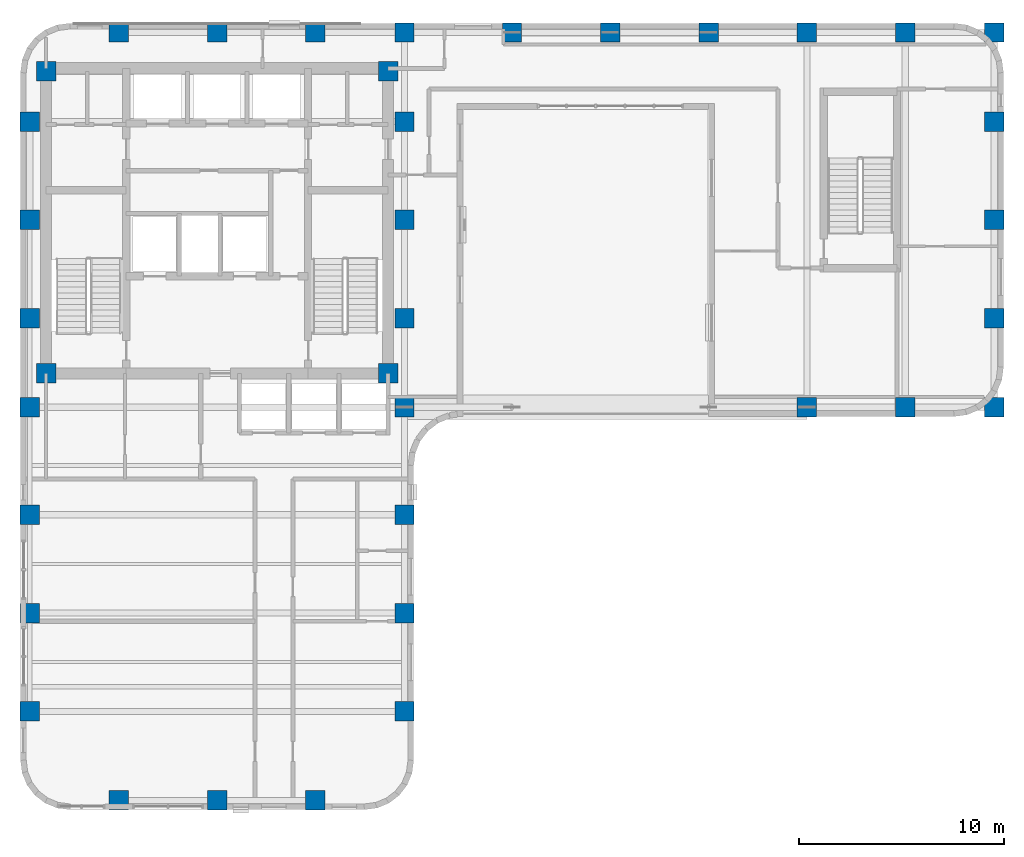
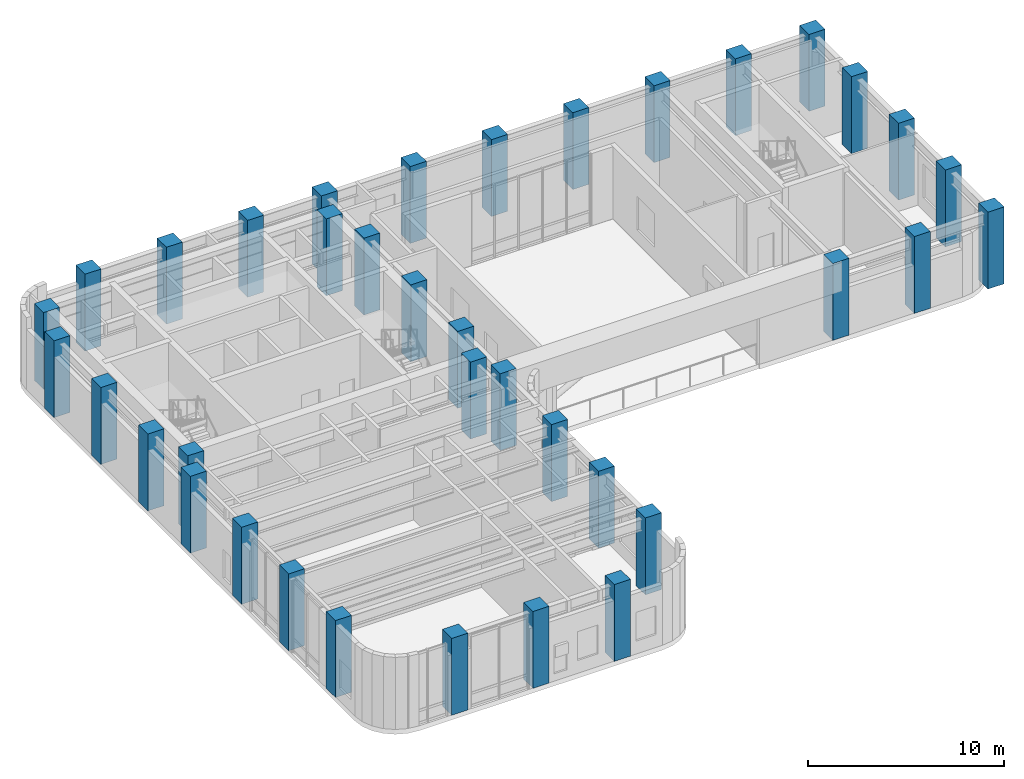
# One storey, part 1 of 12: 37 columns.
"""IFC4 building model written with IfcOpenShell, lengths in metres."""

import ifcopenshell
import ifcopenshell.guid

model = None  # the IFC model being written
_history = None  # IfcOwnerHistory: only IFC2X3 demands one
_inside = {}  # id of a spatial element -> (the spatial element, [elements in it])
_under = {}  # id of a project, library or spatial element -> (it, [spatial elements below it])
_declared = {}  # id of a project -> (the project, [libraries it declares])
_typed = {}  # id of a type object -> (the type object, [elements of that type])
_made_of = {}  # id of a material, layer set ... -> (it, [elements and type objects made of it])


def new_model(schema):
    """Start an empty IFC model of exactly this schema.

    Asked for "IFC4X3", IfcOpenShell would pick the latest addendum, in which some entities
    have other attributes; the version numbers below select the first issue.
    IFC2X3 requires an IfcOwnerHistory on every rooted entity: one is made here for all.
    """
    global model, _history
    if schema == "IFC4X3":
        model = ifcopenshell.file(schema_version=(4, 3, 0, 0))
    else:
        model = ifcopenshell.file(schema=schema)
    _inside.clear()
    _under.clear()
    _declared.clear()
    _typed.clear()
    _made_of.clear()
    _history = None
    if model.schema == "IFC2X3":
        org = make("IfcOrganization", Name="unknown")
        user = make(
            "IfcPersonAndOrganization",
            ThePerson=make("IfcPerson", FamilyName="unknown"),
            TheOrganization=org,
        )
        app = make(
            "IfcApplication",
            ApplicationDeveloper=org,
            Version="unknown",
            ApplicationFullName="unknown",
            ApplicationIdentifier="unknown",
        )
        _history = make(
            "IfcOwnerHistory",
            OwningUser=user,
            OwningApplication=app,
            ChangeAction="ADDED",
            CreationDate=0,
        )
    return model


def make(cls, **values):
    """One entity of the class cls with the attributes given. An attribute that is None is left unset."""
    return model.create_entity(
        cls, **{name: value for name, value in values.items() if value is not None}
    )


def rooted(cls, **values):
    """An entity with a GlobalId (a new one), such as an element, a storey or a relation."""
    return make(cls, GlobalId=ifcopenshell.guid.new(), OwnerHistory=_history, **values)


def si_unit(unit_type, name, prefix=None):
    """IfcSIUnit, for example si_unit("LENGTHUNIT", "METRE", prefix="MILLI")."""
    return make("IfcSIUnit", UnitType=unit_type, Prefix=prefix, Name=name)


def assignment(units):
    """IfcUnitAssignment: the units of a project."""
    return None if units is None else make("IfcUnitAssignment", Units=units)


def point(xyz):
    """IfcCartesianPoint."""
    return None if xyz is None else make("IfcCartesianPoint", Coordinates=xyz)


def direction(xyz):
    """IfcDirection."""
    return None if xyz is None else make("IfcDirection", DirectionRatios=xyz)


def frame(location, z_axis=None, x_axis=None):
    """IfcAxis2Placement3D, a coordinate frame: its origin and axes. An axis left out is left unset."""
    return make(
        "IfcAxis2Placement3D",
        Location=point(location),
        Axis=direction(z_axis),
        RefDirection=direction(x_axis),
    )


def frame_2d(location, x_axis=None):
    """IfcAxis2Placement2D, a coordinate frame in the plane: its origin and x axis."""
    return make(
        "IfcAxis2Placement2D", Location=point(location), RefDirection=direction(x_axis)
    )


def origin():
    """The frame at (0, 0, 0) with its axes left unset."""
    return frame((0.0, 0.0, 0.0))


def origin_2d():
    """The frame at (0, 0) in the plane with its x axis left unset."""
    return frame_2d((0.0, 0.0))


def place(relative_to, where):
    """IfcLocalPlacement: puts the frame where relative to a parent placement (None: the world)."""
    return make(
        "IfcLocalPlacement", PlacementRelTo=relative_to, RelativePlacement=where
    )


def context(
    kind, dimensions, precision=None, world=None, true_north=None, identifier=None
):
    """IfcGeometricRepresentationContext, for example the 3D "Model" context."""
    return make(
        "IfcGeometricRepresentationContext",
        ContextIdentifier=identifier,
        ContextType=kind,
        CoordinateSpaceDimension=dimensions,
        Precision=precision,
        WorldCoordinateSystem=world,
        TrueNorth=true_north,
    )


def subcontext(parent, identifier, kind, view, scale=None):
    """IfcGeometricRepresentationSubContext, for example "Body" below "Model"."""
    return make(
        "IfcGeometricRepresentationSubContext",
        ContextIdentifier=identifier,
        ContextType=kind,
        ParentContext=parent,
        TargetScale=scale,
        TargetView=view,
    )


def project(units=None, contexts=None):
    """IfcProject with its units and contexts."""
    return rooted(
        "IfcProject",
        Name="project",
        RepresentationContexts=contexts,
        UnitsInContext=assignment(units),
    )


def spatial(cls, under=None, at=None, **own):
    """A site, building, storey or space (cls), placed at a placement, below another one or the project."""
    s = rooted(cls, ObjectPlacement=at, **own)
    if under is not None:
        _under.setdefault(under.id(), (under, []))[1].append(s)
    return s


def profile(cls, at=None, kind="AREA", **sizes):
    """A parametric profile (cls). Its sizes go by their IFC names, for example OverallWidth=200.0."""
    return make(cls, ProfileType=kind, Position=at, **sizes)


def rectangle(**sizes):
    """IfcRectangleProfileDef."""
    return profile("IfcRectangleProfileDef", **sizes)


def extrude(swept, where, along, depth):
    """IfcExtrudedAreaSolid: the profile swept, set in the frame where, extruded along a direction by depth."""
    return make(
        "IfcExtrudedAreaSolid",
        SweptArea=swept,
        Position=where,
        ExtrudedDirection=direction(along),
        Depth=depth,
    )


def shape(context_of_items, identifier, shape_type, items):
    """IfcShapeRepresentation: the items that make up one representation, for example the "Body"."""
    return make(
        "IfcShapeRepresentation",
        ContextOfItems=context_of_items,
        RepresentationIdentifier=identifier,
        RepresentationType=shape_type,
        Items=items,
    )


def material(Name=None, Category=None):
    """IfcMaterial."""
    return make("IfcMaterial", Name=Name, Category=Category)


def material_profile(
    of_material, cross_section, Name=None, Category=None, Priority=None
):
    """IfcMaterialProfile: a cross section and its material."""
    return make(
        "IfcMaterialProfile",
        Name=Name,
        Material=of_material,
        Profile=cross_section,
        Priority=Priority,
        Category=Category,
    )


def profile_set(profiles, Name=None, composite=None):
    """IfcMaterialProfileSet."""
    return make(
        "IfcMaterialProfileSet",
        Name=Name,
        MaterialProfiles=profiles,
        CompositeProfile=composite,
    )


def made_of(thing, what):
    """Note that an element or type object is made of a material, layer set ...; save() writes the relation."""
    if what is not None:
        _made_of.setdefault(what.id(), (what, []))[1].append(thing)
    return thing


def type_object(cls, material=None, **own):
    """A type object (cls), such as IfcWallType, which elements share."""
    return made_of(rooted(cls, **own), material)


def element(
    cls,
    number,
    at=None,
    inside=None,
    cuts=None,
    type_object=None,
    material=None,
    context=None,
    identifier="Body",
    shape_type=None,
    held_by="IfcProductDefinitionShape",
    body=None,
    shapes=None,
    **own,
):
    """One element of the class cls, such as IfcWall. Its Tag is "e" and its number.

    at: its placement. inside: the storey or other place that contains it. cuts: it is an
    opening in that element (IfcRelVoidsElement). A single representation is given by context,
    identifier, shape_type and body (its items); several are given by shapes. held_by: the class
    of the entity that holds the representations. save() writes the other relations.
    """
    e = rooted(cls, Tag="e%d" % number, ObjectPlacement=at, **own)
    if body is not None:
        shapes = [shape(context, identifier, shape_type, body)]
    if shapes is not None:
        e.Representation = make(held_by, Representations=shapes)
    if inside is not None:
        _inside.setdefault(inside.id(), (inside, []))[1].append(e)
    if cuts is not None:
        rooted(
            "IfcRelVoidsElement", RelatingBuildingElement=cuts, RelatedOpeningElement=e
        )
    if type_object is not None:
        _typed.setdefault(type_object.id(), (type_object, []))[1].append(e)
    return made_of(e, material)


def aggregate(whole, parts):
    """IfcRelAggregates: a whole, such as a stair, and the parts it consists of."""
    return rooted("IfcRelAggregates", RelatingObject=whole, RelatedObjects=parts)


def save(model, path):
    """Write the relations noted so far, then the file.

    IfcRelAggregates (storeys below a building ...), IfcRelContainedInSpatialStructure (elements
    in a storey), IfcRelDefinesByType, IfcRelAssociatesMaterial and IfcRelDeclares: one each for
    every whole, place, type object, material and project.
    """
    for whole, parts in _under.values():
        aggregate(whole, parts)
    for where, things in _inside.values():
        rooted(
            "IfcRelContainedInSpatialStructure",
            RelatedElements=things,
            RelatingStructure=where,
        )
    for kind, things in _typed.values():
        rooted("IfcRelDefinesByType", RelatedObjects=things, RelatingType=kind)
    for what, things in _made_of.values():
        rooted("IfcRelAssociatesMaterial", RelatedObjects=things, RelatingMaterial=what)
    for by, libraries in _declared.values():
        rooted("IfcRelDeclares", RelatingContext=by, RelatedDefinitions=libraries)
    model.write(path)


model = new_model("IFC4")

# Units and contexts
model_context = context("Model", 3, precision=1e-05, world=origin(), true_north=direction((0.0, 1.0)))
body_context = subcontext(model_context, "Body", "Model", "MODEL_VIEW")
ifc_project = project(units=[si_unit("LENGTHUNIT", "METRE"), si_unit("AREAUNIT", "SQUARE_METRE"), si_unit("VOLUMEUNIT", "CUBIC_METRE"), si_unit("PLANEANGLEUNIT", "RADIAN"), si_unit("MASSUNIT", "GRAM", prefix="KILO")], contexts=[model_context])

# Site, building, storey
site_placement = place(None, origin())
site = spatial("IfcSite", under=ifc_project, at=site_placement, CompositionType="ELEMENT")
building_placement = place(site_placement, origin())
building = spatial("IfcBuilding", under=site, at=building_placement, Name="Orvandelia Arch Residences", CompositionType="ELEMENT")
storey_placement = place(building_placement, frame((0.0, 0.0, 193.60009765625)))
storey = spatial("IfcBuildingStorey", under=building, at=storey_placement, Name="L51", CompositionType="ELEMENT", Elevation=193.60009765625)

# Columns
ifc_material = material(Name="Concrete C60/75", Category="concrete")
ifc_material_profile = material_profile(ifc_material, rectangle(XDim=0.949951171875, YDim=0.949951171875, at=origin_2d()), Name="Concrete C60/75", Category="concrete")
ifc_profile_set = profile_set([ifc_material_profile], Name="Concrete C60/75")
column_type = type_object("IfcColumnType", Name="COL-TWR-950", PredefinedType="COLUMN", material=ifc_profile_set)
for number, where, z_axis, x_axis, name in (
    (1, (5.25, 14.39990234375, 0.0), (0.0, 0.0, 1.0), (1.0, 0.0, 0.0), "Structural Column L51-W-W-144"),
    (2, (5.25, 19.199951171875, 0.0), (0.0, 0.0, 1.0), (1.0, 0.0, 0.0), "Structural Column L51-W-W-192"),
    (3, (5.25, 24.0, 0.0), (0.0, 0.0, 1.0), (1.0, 0.0, 0.0), "Structural Column L51-W-W-240"),
    (4, (5.25, 29.25, 0.0), (0.0, 0.0, 1.0), (1.0, 0.0, 0.0), "Structural Column L51-W-W-292"),
    (5, (5.25, 33.60009765625, 0.0), (0.0, 0.0, 1.0), (1.0, 0.0, 0.0), "Structural Column L51-W-W-336"),
    (6, (5.25, 38.39990234375, 0.0), (0.0, 0.0, 1.0), (1.0, 0.0, 0.0), "Structural Column L51-W-W-384"),
    (7, (5.25, 43.199951171875, 0.0), (0.0, 0.0, 1.0), (1.0, 0.0, 0.0), "Structural Column L51-W-W-432"),
    (8, (6.050048828125, 30.89990234375, 0.0), (0.0, 0.0, 1.0), (1.0, 0.0, 0.0), "Structural Column L51-CR-SW"),
    (9, (6.050048828125, 45.64990234375, 0.0), (0.0, 0.0, 1.0), (1.0, 0.0, 0.0), "Structural Column L51-CR-NW"),
    (10, (9.60009765625, 10.050048828125, 0.0), (0.0, 0.0, 1.0), (1.0, 0.0, 0.0), "Structural Column L51-W-S-96"),
    (11, (9.60009765625, 47.550048828125, 0.0), (0.0, 0.0, 1.0), (1.0, 0.0, 0.0), "Structural Column L51-W-N-96"),
    (12, (14.39990234375, 10.050048828125, 0.0), (0.0, 0.0, 1.0), (1.0, 0.0, 0.0), "Structural Column L51-W-S-144"),
    (13, (14.39990234375, 47.550048828125, 0.0), (0.0, 0.0, 1.0), (1.0, 0.0, 0.0), "Structural Column L51-W-N-144"),
    (14, (19.199951171875, 10.050048828125, 0.0), (0.0, 0.0, 1.0), (1.0, 0.0, 0.0), "Structural Column L51-W-S-192"),
    (15, (19.199951171875, 47.550048828125, 0.0), (0.0, 0.0, 1.0), (1.0, 0.0, 0.0), "Structural Column L51-W-N-192"),
    (16, (22.75, 30.89990234375, 0.0), (0.0, 0.0, 1.0), (1.0, 0.0, 0.0), "Structural Column L51-CR-SE"),
    (17, (22.75, 45.64990234375, 0.0), (0.0, 0.0, 1.0), (1.0, 0.0, 0.0), "Structural Column L51-CR-NE"),
    (18, (23.550048828125, 14.39990234375, 0.0), (0.0, 0.0, 1.0), (1.0, 0.0, 0.0), "Structural Column L51-W-E-144"),
    (19, (23.550048828125, 19.199951171875, 0.0), (0.0, 0.0, 1.0), (1.0, 0.0, 0.0), "Structural Column L51-W-E-192"),
    (20, (23.550048828125, 24.0, 0.0), (0.0, 0.0, 1.0), (1.0, 0.0, 0.0), "Structural Column L51-W-E-240"),
    (21, (23.550048828125, 29.25, 0.0), (0.0, 0.0, 1.0), (1.0, 0.0, 0.0), "Structural Column L51-W-E-292"),
    (22, (23.550048828125, 33.60009765625, 0.0), (0.0, 0.0, 1.0), (1.0, 0.0, 0.0), "Structural Column L51-W-E-336"),
    (23, (23.550048828125, 38.39990234375, 0.0), (0.0, 0.0, 1.0), (1.0, 0.0, 0.0), "Structural Column L51-W-E-384"),
    (24, (23.550048828125, 43.199951171875, 0.0), (0.0, 0.0, 1.0), (1.0, 0.0, 0.0), "Structural Column L51-W-E-432"),
    (25, (23.550048828125, 47.550048828125, 0.0), (0.0, 0.0, 1.0), (1.0, 0.0, 0.0), "Structural Column L51-W-N-235"),
    (26, (28.800048828125, 47.550048828125, 0.0), (0.0, 0.0, 1.0), (1.0, 0.0, 0.0), "Structural Column L51-E-N-288"),
    (27, (33.60009765625, 47.550048828125, 0.0), (0.0, 0.0, 1.0), (1.0, 0.0, 0.0), "Structural Column L51-E-N-336"),
    (28, (38.39990234375, 47.550048828125, 0.0), (0.0, 0.0, 1.0), (1.0, 0.0, 0.0), "Structural Column L51-E-N-384"),
    (29, (43.199951171875, 29.25, 0.0), (0.0, 0.0, 1.0), (1.0, 0.0, 0.0), "Structural Column L51-E-S-432"),
    (30, (43.199951171875, 47.550048828125, 0.0), (0.0, 0.0, 1.0), (1.0, 0.0, 0.0), "Structural Column L51-E-N-432"),
    (31, (48.0, 29.25, 0.0), (0.0, 0.0, 1.0), (1.0, 0.0, 0.0), "Structural Column L51-E-S-480"),
    (32, (48.0, 47.550048828125, 0.0), (0.0, 0.0, 1.0), (1.0, 0.0, 0.0), "Structural Column L51-E-N-480"),
    (33, (52.35009765625, 29.25, 0.0), (0.0, 0.0, 1.0), (1.0, 0.0, 0.0), "Structural Column L51-E-S-523"),
    (34, (52.35009765625, 33.60009765625, 0.0), (0.0, 0.0, 1.0), (1.0, 0.0, 0.0), "Structural Column L51-E-523-336"),
    (35, (52.35009765625, 38.39990234375, 0.0), (0.0, 0.0, 1.0), (1.0, 0.0, 0.0), "Structural Column L51-E-523-384"),
    (36, (52.35009765625, 43.199951171875, 0.0), (0.0, 0.0, 1.0), (1.0, 0.0, 0.0), "Structural Column L51-E-523-432"),
    (37, (52.35009765625, 47.550048828125, 0.0), (0.0, 0.0, 1.0), (1.0, 0.0, 0.0), "Structural Column L51-E-N-523"),
):
    element("IfcColumn", number, at=place(storey_placement, frame(where, z_axis=z_axis, x_axis=x_axis)), inside=storey, type_object=column_type, Name=name, PredefinedType="COLUMN", context=body_context, shape_type="SweptSolid", body=[
        extrude(rectangle(XDim=0.949951171875, YDim=0.949951171875, at=origin_2d()), origin(), (0.0, 0.0, 1.0), 4.7998046875),
    ])

save(model, "model.ifc")
